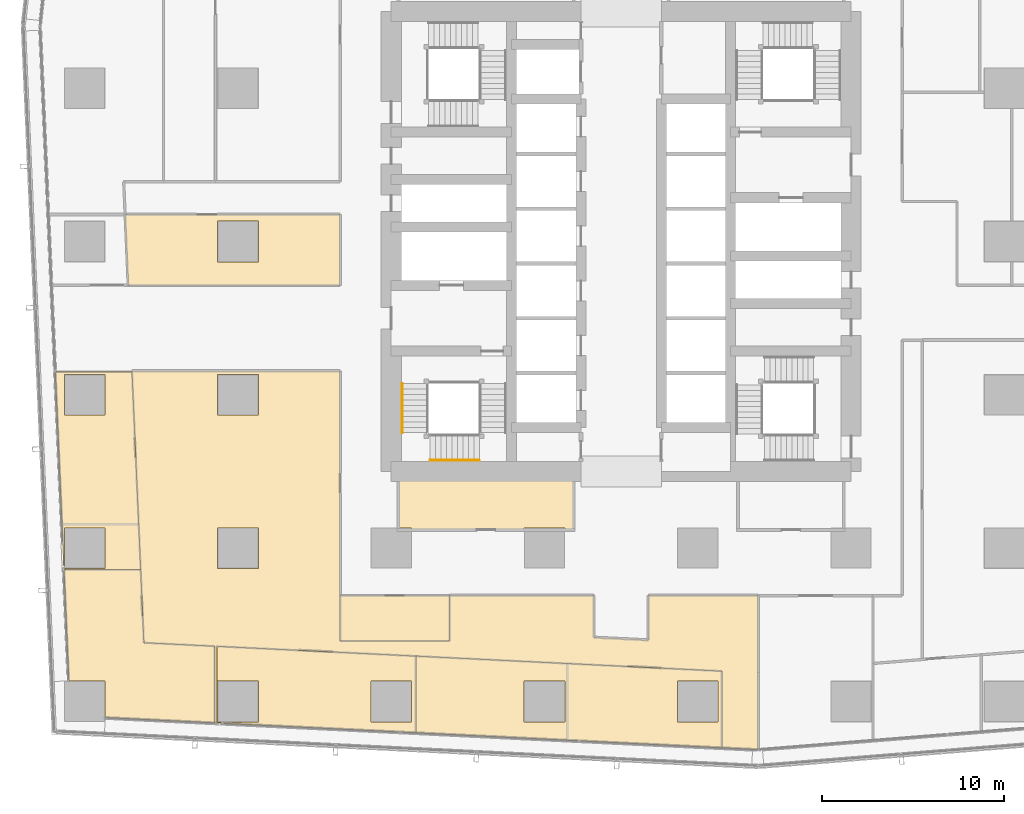
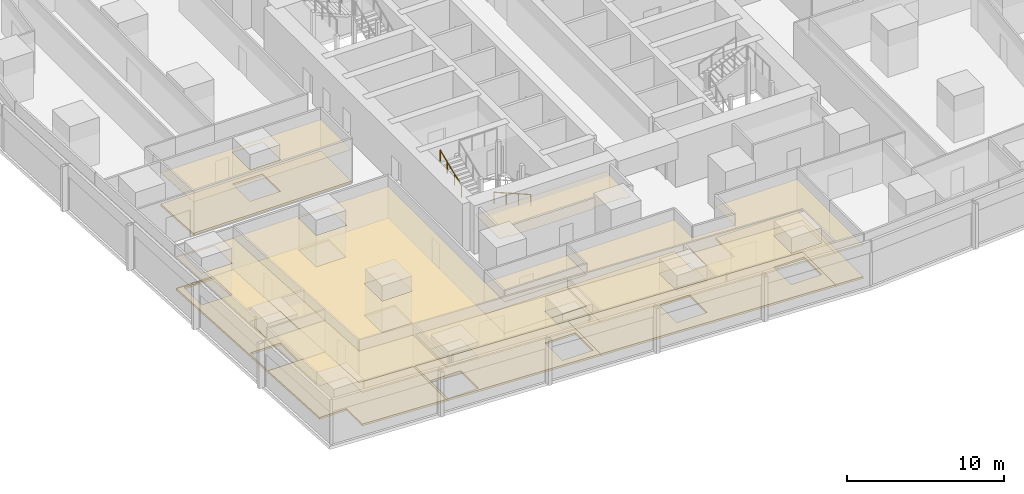
# One storey, part 37 of 45: 15 coverings, 2 railings.
"""IFC4 building model written with IfcOpenShell, lengths in metres."""

from ifc_helpers import new_model, si_unit, direction, frame, origin, origin_2d, place, context, subcontext, project, spatial, polyline, circle, outline, extrude, material, layer, layer_set, type_object, element, save


model = new_model("IFC4")

# Units and contexts
model_context = context("Model", 3, precision=1e-05, world=origin(), true_north=direction((0.0, 1.0)))
body_context = subcontext(model_context, "Body", "Model", "MODEL_VIEW")
ifc_project = project(units=[si_unit("LENGTHUNIT", "METRE"), si_unit("AREAUNIT", "SQUARE_METRE"), si_unit("VOLUMEUNIT", "CUBIC_METRE"), si_unit("PLANEANGLEUNIT", "RADIAN"), si_unit("MASSUNIT", "GRAM", prefix="KILO")], contexts=[model_context])

# Site, building, storey
site_placement = place(None, origin())
site = spatial("IfcSite", under=ifc_project, at=site_placement, CompositionType="ELEMENT")
building_placement = place(site_placement, origin())
building = spatial("IfcBuilding", under=site, at=building_placement, Name="Rekha Terrace Tower", CompositionType="ELEMENT")
storey_placement = place(building_placement, frame((0.0, 0.0, 44.14990234375)))
storey = spatial("IfcBuildingStorey", under=building, at=storey_placement, Name="L10", CompositionType="ELEMENT", Elevation=44.14990234375)

# Coverings
ifc_material_1 = material(Name="Mineral fibre tile in exposed grid", Category="finish")
ifc_layer_1 = layer(ifc_material_1, 0.02001953125)
ifc_layer_set_1 = layer_set([ifc_layer_1], Name="Mineral fibre tile in exposed grid")
covering_type_1 = type_object("IfcCoveringType", Name="CL1 600x1200 office grid ceiling", PredefinedType="CEILING", material=ifc_layer_set_1)
covering_1_placement = place(storey_placement, frame((0.0, 0.0, 2.580078125)))
element("IfcCovering", 1, at=covering_1_placement, inside=storey, type_object=covering_type_1, Name="Ceiling L10-O4b", PredefinedType="CEILING", context=body_context, shape_type="SweptSolid", body=[
    extrude(outline(polyline([(22.39990234375, 35.077880859375), (10.6201171875, 35.077880859375), (10.7900390625, 31.199951171875), (22.39990234375, 31.199951171875), (22.39990234375, 35.077880859375)]), holes=[polyline([(17.9150390625, 32.485107421875), (15.68505859375, 32.485107421875), (15.68505859375, 34.715087890625), (17.9150390625, 34.715087890625), (17.9150390625, 32.485107421875)])]), origin(), (0.0, 0.0, 1.0), 0.02001953125),
])
covering_2_placement = place(storey_placement, frame((0.0, 0.0, 2.580078125)))
element("IfcCovering", 2, at=covering_2_placement, inside=storey, type_object=covering_type_1, Name="Ceiling L10-17", PredefinedType="CEILING", context=body_context, shape_type="SweptSolid", body=[
    extrude(outline(polyline([(7.258056640625, 15.821044921875), (7.284912109375, 15.821044921875), (7.284912109375, 17.9150390625), (9.514892578125, 17.9150390625), (9.514892578125, 15.68505859375), (7.263916015625, 15.68505859375), (7.26611328125, 15.64404296875), (11.469970703125, 15.64404296875), (11.362060546875, 18.117919921875), (10.9970703125, 26.448974609375), (6.79296875, 26.448974609375), (7.157958984375, 18.114990234375), (7.258056640625, 15.821044921875)]), holes=[polyline([(9.514892578125, 24.0849609375), (7.284912109375, 24.0849609375), (7.284912109375, 26.31494140625), (9.514892578125, 26.31494140625), (9.514892578125, 24.0849609375)])]), origin(), (0.0, 0.0, 1.0), 0.02001953125),
])
covering_3_placement = place(storey_placement, frame((0.0, 0.0, 2.580078125)))
element("IfcCovering", 3, at=covering_3_placement, inside=storey, type_object=covering_type_1, Name="Ceiling L10-18", PredefinedType="CEILING", context=body_context, shape_type="SweptSolid", body=[
    extrude(outline(polyline([(11.64599609375, 11.617919921875), (11.469970703125, 15.64306640625), (7.26611328125, 15.64306640625), (7.533935546875, 9.514892578125), (9.514892578125, 9.514892578125), (9.514892578125, 7.51806640625), (15.52392578125, 7.222900390625), (15.52392578125, 11.427978515625), (11.64599609375, 11.617919921875)])), origin(), (0.0, 0.0, 1.0), 0.02001953125),
])
covering_4_placement = place(storey_placement, frame((0.0, 0.0, 2.580078125)))
element("IfcCovering", 4, at=covering_4_placement, inside=storey, type_object=covering_type_1, Name="Ceiling L10-19", PredefinedType="CEILING", context=body_context, shape_type="SweptSolid", body=[
    extrude(outline(polyline([(26.547119140625, 6.680908203125), (26.547119140625, 10.886962890625), (15.64306640625, 11.422119140625), (15.64306640625, 7.217041015625), (26.547119140625, 6.680908203125)]), holes=[polyline([(26.31494140625, 9.514892578125), (26.31494140625, 7.284912109375), (24.0849609375, 7.284912109375), (24.0849609375, 9.514892578125), (26.31494140625, 9.514892578125)]), polyline([(17.9150390625, 7.284912109375), (15.68505859375, 7.284912109375), (15.68505859375, 9.514892578125), (17.9150390625, 9.514892578125), (17.9150390625, 7.284912109375)])]), origin(), (0.0, 0.0, 1.0), 0.02001953125),
])
covering_5_placement = place(storey_placement, frame((0.0, 0.0, 2.580078125)))
element("IfcCovering", 5, at=covering_5_placement, inside=storey, type_object=covering_type_1, Name="Ceiling L10-20", PredefinedType="CEILING", context=body_context, shape_type="SweptSolid", body=[
    extrude(outline(polyline([(43.31298828125, 10.06298828125), (34.840087890625, 10.47900390625), (26.548095703125, 10.885986328125), (26.548095703125, 6.680908203125), (34.839111328125, 6.27392578125), (43.31298828125, 5.85791015625), (43.31298828125, 10.06298828125)]), holes=[polyline([(43.114990234375, 7.284912109375), (40.885009765625, 7.284912109375), (40.885009765625, 9.514892578125), (43.114990234375, 9.514892578125), (43.114990234375, 7.284912109375)]), polyline([(34.715087890625, 7.284912109375), (32.485107421875, 7.284912109375), (32.485107421875, 9.514892578125), (34.715087890625, 9.514892578125), (34.715087890625, 7.284912109375)])]), origin(), (0.0, 0.0, 1.0), 0.02001953125),
])
covering_6_placement = place(storey_placement, frame((0.0, 0.0, 2.580078125)))
element("IfcCovering", 6, at=covering_6_placement, inside=storey, type_object=covering_type_1, Name="Ceiling L10-21", PredefinedType="CEILING", context=body_context, shape_type="SweptSolid", body=[
    extrude(outline(polyline([(22.39990234375, 14.199951171875), (22.39990234375, 11.7099609375), (28.39990234375, 11.7099609375), (28.39990234375, 14.199951171875), (22.39990234375, 14.199951171875)])), origin(), (0.0, 0.0, 1.0), 0.02001953125),
])
covering_7_placement = place(storey_placement, frame((0.0, 0.0, 2.580078125)))
element("IfcCovering", 7, at=covering_7_placement, inside=storey, type_object=covering_type_1, Name="Ceiling L10-O5", PredefinedType="CEILING", context=body_context, shape_type="SweptSolid", body=[
    extrude(outline(polyline([(10.9970703125, 26.448974609375), (11.362060546875, 18.116943359375), (11.470947265625, 15.6279296875), (11.64599609375, 11.617919921875), (15.52392578125, 11.427978515625), (15.52392578125, 7.222900390625), (15.64306640625, 7.217041015625), (15.64306640625, 11.422119140625), (26.547119140625, 10.886962890625), (26.547119140625, 10.885986328125), (34.841064453125, 10.47900390625), (43.31298828125, 10.06298828125), (43.31298828125, 5.85791015625), (45.27197265625, 5.761962890625), (45.303955078125, 5.764892578125), (45.303955078125, 14.199951171875), (39.300048828125, 14.199951171875), (39.300048828125, 11.761962890625), (36.300048828125, 11.908935546875), (36.300048828125, 14.199951171875), (28.39990234375, 14.199951171875), (28.39990234375, 11.7099609375), (22.39990234375, 11.7099609375), (22.39990234375, 26.511962890625), (6.791015625, 26.511962890625), (6.79296875, 26.448974609375), (10.9970703125, 26.448974609375)]), holes=[polyline([(17.9150390625, 15.68505859375), (15.68505859375, 15.68505859375), (15.68505859375, 17.9150390625), (17.9150390625, 17.9150390625), (17.9150390625, 15.68505859375)]), polyline([(17.9150390625, 24.0849609375), (15.68505859375, 24.0849609375), (15.68505859375, 26.31494140625), (17.9150390625, 26.31494140625), (17.9150390625, 24.0849609375)])]), origin(), (0.0, 0.0, 1.0), 0.02001953125),
])
ifc_material_2 = material(Name="Fibre cement board", Category="finish")
ifc_layer_2 = layer(ifc_material_2, 0.014892578125)
ifc_layer_set_2 = layer_set([ifc_layer_2], Name="Fibre cement board")
covering_type_2 = type_object("IfcCoveringType", Name="CL2 moisture-resistant board ceiling", PredefinedType="CEILING", material=ifc_layer_set_2)
covering_8_placement = place(storey_placement, frame((0.0, 0.0, 2.585205078125)))
element("IfcCovering", 8, at=covering_8_placement, inside=storey, type_object=covering_type_2, Name="Ceiling L10-WCM", PredefinedType="CEILING", context=body_context, shape_type="SweptSolid", body=[
    extrude(outline(polyline([(35.199951171875, 21.0), (25.60009765625, 21.0), (25.60009765625, 17.9150390625), (26.31494140625, 17.9150390625), (26.31494140625, 17.800048828125), (32.485107421875, 17.800048828125), (32.485107421875, 17.9150390625), (34.715087890625, 17.9150390625), (34.715087890625, 17.800048828125), (35.199951171875, 17.800048828125), (35.199951171875, 21.0)])), origin(), (0.0, 0.0, 1.0), 0.014892578125),
])

# Railings
ifc_material_3 = material(Name="Stainless steel tube", Category="steel")
railing_type = type_object("IfcRailingType", Name="HR1 900 stair handrail", PredefinedType="HANDRAIL", material=ifc_material_3)
railing_1_placement = place(storey_placement, frame((30.02490234375, 21.610107421875, 1.375)))
element("IfcRailing", 9, at=railing_1_placement, inside=storey, type_object=railing_type, Name="Handrail ST1 L10 flight 2", PredefinedType="HANDRAIL", context=body_context, shape_type="SweptSolid", body=[
    extrude(circle(Radius=0.02392578125, at=origin_2d()), frame((0.0, 0.0, 0.8759765625), z_axis=(-0.923074453586, 0.0, 0.384621311341), x_axis=(0.0, -1.0, 0.0)), (0.0, 0.0, 1.0), 2.925048828125),
    extrude(circle(Radius=0.02099609375, at=origin_2d()), origin(), (0.0, 0.0, 1.0), 0.851806640625),
    extrude(circle(Radius=0.02099609375, at=origin_2d()), frame((-0.89990234375, 0.0, 0.375)), (0.0, 0.0, 1.0), 0.851806640625),
    extrude(circle(Radius=0.02099609375, at=origin_2d()), frame((-1.800048828125, 0.0, 0.75)), (0.0, 0.0, 1.0), 0.851806640625),
    extrude(circle(Radius=0.02099609375, at=origin_2d()), frame((-2.699951171875, 0.0, 1.125)), (0.0, 0.0, 1.0), 0.851806640625),
])
railing_2_placement = place(storey_placement, frame((25.81005859375, 23.125, 2.625)))
element("IfcRailing", 10, at=railing_2_placement, inside=storey, type_object=railing_type, Name="Handrail ST1 L10 flight 3", PredefinedType="HANDRAIL", context=body_context, shape_type="SweptSolid", body=[
    extrude(circle(Radius=0.02392578125, at=origin_2d()), frame((0.0, 0.0, 0.8759765625), z_axis=(0.0, 0.923074453586, 0.384621311341), x_axis=(-1.0, 0.0, 0.0)), (0.0, 0.0, 1.0), 2.925048828125),
    extrude(circle(Radius=0.02099609375, at=origin_2d()), origin(), (0.0, 0.0, 1.0), 0.851806640625),
    extrude(circle(Radius=0.02099609375, at=origin_2d()), frame((0.0, 0.89990234375, 0.375)), (0.0, 0.0, 1.0), 0.851806640625),
    extrude(circle(Radius=0.02099609375, at=origin_2d()), frame((0.0, 1.800048828125, 0.75)), (0.0, 0.0, 1.0), 0.851806640625),
    extrude(circle(Radius=0.02099609375, at=origin_2d()), frame((0.0, 2.699951171875, 1.125)), (0.0, 0.0, 1.0), 0.851806640625),
])

# Coverings
ifc_material_4 = material(Name="Calcium sulphate panels on steel pedestals", Category="steel")
ifc_layer_3 = layer(ifc_material_4, 0.14990234375)
ifc_layer_set_3 = layer_set([ifc_layer_3], Name="Calcium sulphate panels on steel pedestals")
covering_type_3 = type_object("IfcCoveringType", Name="RF1 150 raised access floor", PredefinedType="FLOORING", material=ifc_layer_set_3)
covering_9_placement = place(storey_placement, origin())
element("IfcCovering", 11, at=covering_9_placement, inside=storey, type_object=covering_type_3, Name="Raised floor L10-O4b", PredefinedType="FLOORING", context=body_context, shape_type="SweptSolid", body=[
    extrude(outline(polyline([(22.39990234375, 35.077880859375), (10.6201171875, 35.077880859375), (10.7900390625, 31.199951171875), (22.39990234375, 31.199951171875), (22.39990234375, 35.077880859375)]), holes=[polyline([(17.9150390625, 32.485107421875), (15.68505859375, 32.485107421875), (15.68505859375, 34.715087890625), (17.9150390625, 34.715087890625), (17.9150390625, 32.485107421875)])]), origin(), (0.0, 0.0, 1.0), 0.150146484375),
])
covering_10_placement = place(storey_placement, origin())
element("IfcCovering", 12, at=covering_10_placement, inside=storey, type_object=covering_type_3, Name="Raised floor L10-17", PredefinedType="FLOORING", context=body_context, shape_type="SweptSolid", body=[
    extrude(outline(polyline([(7.258056640625, 15.821044921875), (7.284912109375, 15.821044921875), (7.284912109375, 17.9150390625), (9.514892578125, 17.9150390625), (9.514892578125, 15.68505859375), (7.263916015625, 15.68505859375), (7.26611328125, 15.64404296875), (11.469970703125, 15.64404296875), (11.362060546875, 18.117919921875), (10.9970703125, 26.448974609375), (6.79296875, 26.448974609375), (7.157958984375, 18.114990234375), (7.258056640625, 15.821044921875)]), holes=[polyline([(9.514892578125, 24.0849609375), (7.284912109375, 24.0849609375), (7.284912109375, 26.31494140625), (9.514892578125, 26.31494140625), (9.514892578125, 24.0849609375)])]), origin(), (0.0, 0.0, 1.0), 0.150146484375),
])
covering_11_placement = place(storey_placement, origin())
element("IfcCovering", 13, at=covering_11_placement, inside=storey, type_object=covering_type_3, Name="Raised floor L10-18", PredefinedType="FLOORING", context=body_context, shape_type="SweptSolid", body=[
    extrude(outline(polyline([(11.64599609375, 11.617919921875), (11.469970703125, 15.64306640625), (7.26611328125, 15.64306640625), (7.533935546875, 9.514892578125), (9.514892578125, 9.514892578125), (9.514892578125, 7.51806640625), (15.52392578125, 7.222900390625), (15.52392578125, 11.427978515625), (11.64599609375, 11.617919921875)])), origin(), (0.0, 0.0, 1.0), 0.150146484375),
])
covering_12_placement = place(storey_placement, origin())
element("IfcCovering", 14, at=covering_12_placement, inside=storey, type_object=covering_type_3, Name="Raised floor L10-19", PredefinedType="FLOORING", context=body_context, shape_type="SweptSolid", body=[
    extrude(outline(polyline([(26.547119140625, 6.680908203125), (26.547119140625, 10.886962890625), (15.64306640625, 11.422119140625), (15.64306640625, 7.217041015625), (26.547119140625, 6.680908203125)]), holes=[polyline([(26.31494140625, 9.514892578125), (26.31494140625, 7.284912109375), (24.0849609375, 7.284912109375), (24.0849609375, 9.514892578125), (26.31494140625, 9.514892578125)]), polyline([(17.9150390625, 7.284912109375), (15.68505859375, 7.284912109375), (15.68505859375, 9.514892578125), (17.9150390625, 9.514892578125), (17.9150390625, 7.284912109375)])]), origin(), (0.0, 0.0, 1.0), 0.150146484375),
])
covering_13_placement = place(storey_placement, origin())
element("IfcCovering", 15, at=covering_13_placement, inside=storey, type_object=covering_type_3, Name="Raised floor L10-20", PredefinedType="FLOORING", context=body_context, shape_type="SweptSolid", body=[
    extrude(outline(polyline([(43.31298828125, 10.06298828125), (34.840087890625, 10.47900390625), (26.548095703125, 10.885986328125), (26.548095703125, 6.680908203125), (34.839111328125, 6.27392578125), (43.31298828125, 5.85791015625), (43.31298828125, 10.06298828125)]), holes=[polyline([(43.114990234375, 7.284912109375), (40.885009765625, 7.284912109375), (40.885009765625, 9.514892578125), (43.114990234375, 9.514892578125), (43.114990234375, 7.284912109375)]), polyline([(34.715087890625, 7.284912109375), (32.485107421875, 7.284912109375), (32.485107421875, 9.514892578125), (34.715087890625, 9.514892578125), (34.715087890625, 7.284912109375)])]), origin(), (0.0, 0.0, 1.0), 0.150146484375),
])
covering_14_placement = place(storey_placement, origin())
element("IfcCovering", 16, at=covering_14_placement, inside=storey, type_object=covering_type_3, Name="Raised floor L10-21", PredefinedType="FLOORING", context=body_context, shape_type="SweptSolid", body=[
    extrude(outline(polyline([(22.39990234375, 14.199951171875), (22.39990234375, 11.7099609375), (28.39990234375, 11.7099609375), (28.39990234375, 14.199951171875), (22.39990234375, 14.199951171875)])), origin(), (0.0, 0.0, 1.0), 0.150146484375),
])
covering_15_placement = place(storey_placement, origin())
element("IfcCovering", 17, at=covering_15_placement, inside=storey, type_object=covering_type_3, Name="Raised floor L10-O5", PredefinedType="FLOORING", context=body_context, shape_type="SweptSolid", body=[
    extrude(outline(polyline([(10.9970703125, 26.448974609375), (11.362060546875, 18.116943359375), (11.470947265625, 15.6279296875), (11.64599609375, 11.617919921875), (15.52392578125, 11.427978515625), (15.52392578125, 7.222900390625), (15.64306640625, 7.217041015625), (15.64306640625, 11.422119140625), (26.547119140625, 10.886962890625), (26.547119140625, 10.885986328125), (34.841064453125, 10.47900390625), (43.31298828125, 10.06298828125), (43.31298828125, 5.85791015625), (45.27197265625, 5.761962890625), (45.303955078125, 5.764892578125), (45.303955078125, 14.199951171875), (39.300048828125, 14.199951171875), (39.300048828125, 11.761962890625), (36.300048828125, 11.908935546875), (36.300048828125, 14.199951171875), (28.39990234375, 14.199951171875), (28.39990234375, 11.7099609375), (22.39990234375, 11.7099609375), (22.39990234375, 26.511962890625), (6.791015625, 26.511962890625), (6.79296875, 26.448974609375), (10.9970703125, 26.448974609375)]), holes=[polyline([(17.9150390625, 15.68505859375), (15.68505859375, 15.68505859375), (15.68505859375, 17.9150390625), (17.9150390625, 17.9150390625), (17.9150390625, 15.68505859375)]), polyline([(17.9150390625, 24.0849609375), (15.68505859375, 24.0849609375), (15.68505859375, 26.31494140625), (17.9150390625, 26.31494140625), (17.9150390625, 24.0849609375)])]), origin(), (0.0, 0.0, 1.0), 0.150146484375),
])

save(model, "model.ifc")
